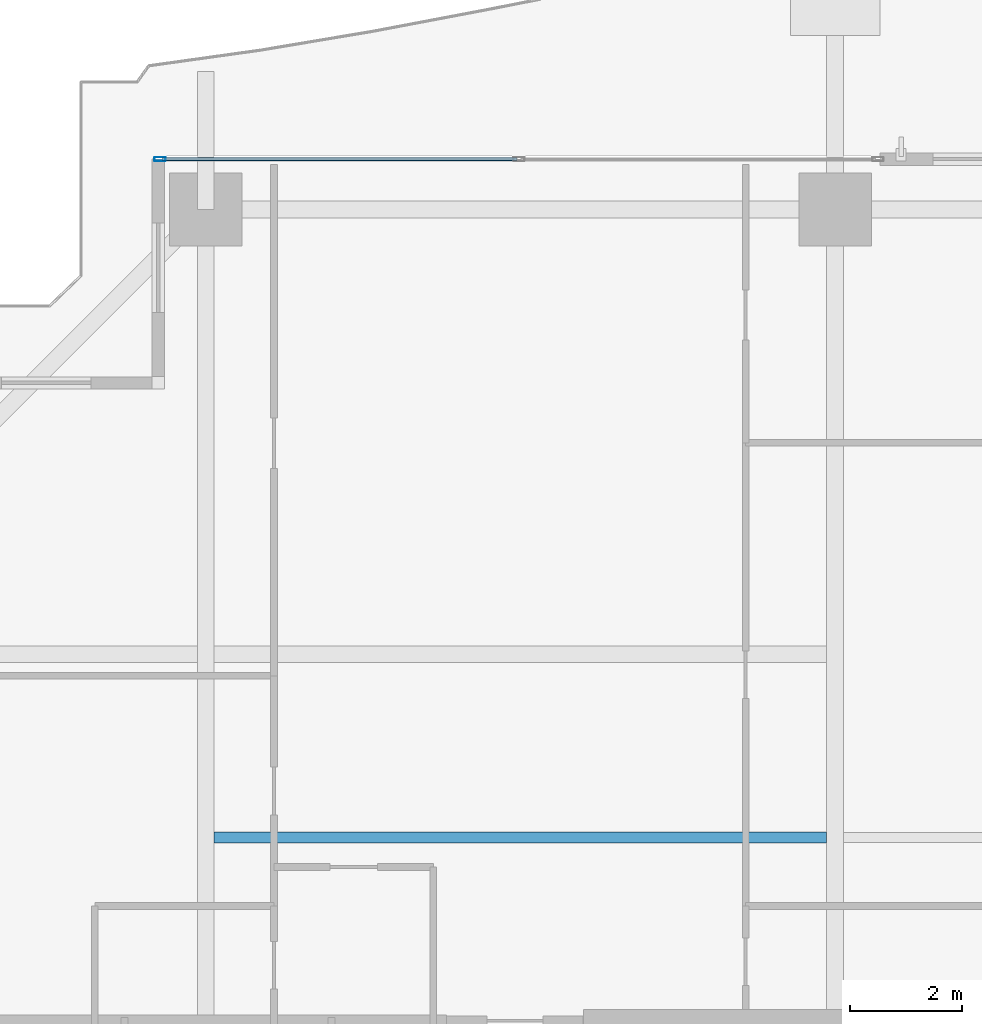
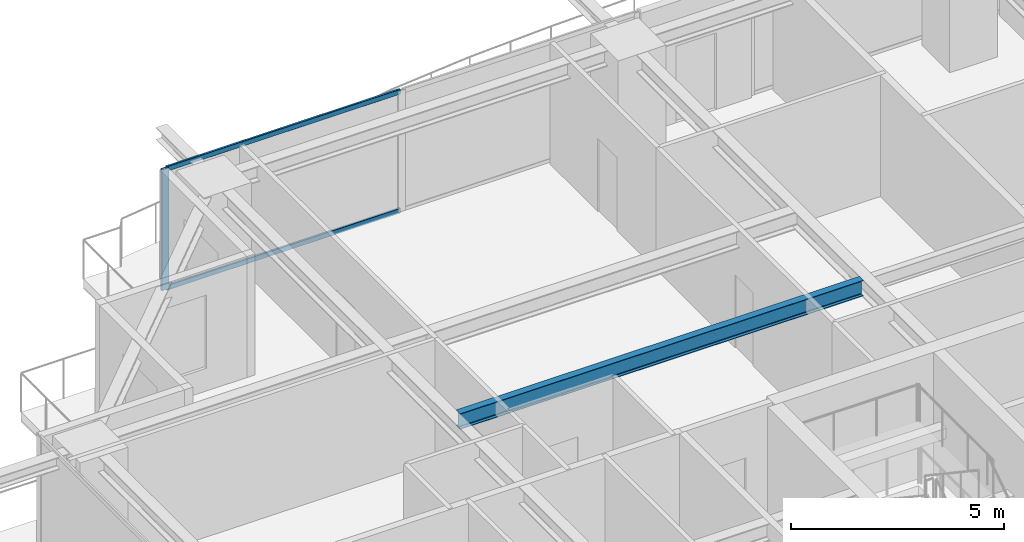
# One storey, part 18 of 39: 3 members, 1 beam, 1 element without a shape of its own.
"""IFC4 building model written with IfcOpenShell, lengths in metres."""

from ifc_helpers import new_model, si_unit, direction, frame, origin, origin_2d, place, context, subcontext, project, spatial, hollow_rectangle, i_section, extrude, source, transform, mapped, material, layer, layer_set, material_profile, profile_set, type_object, element, aggregate, save


model = new_model("IFC4")

# Units and contexts
model_context = context("Model", 3, precision=1e-05, world=origin(), true_north=direction((0.0, 1.0)))
body_context = subcontext(model_context, "Body", "Model", "MODEL_VIEW")
ifc_project = project(units=[si_unit("LENGTHUNIT", "METRE"), si_unit("AREAUNIT", "SQUARE_METRE"), si_unit("VOLUMEUNIT", "CUBIC_METRE"), si_unit("PLANEANGLEUNIT", "RADIAN"), si_unit("MASSUNIT", "GRAM", prefix="KILO")], contexts=[model_context])

# Site, building, storey
site_placement = place(None, origin())
site = spatial("IfcSite", under=ifc_project, at=site_placement, CompositionType="ELEMENT")
building_placement = place(site_placement, origin())
building = spatial("IfcBuilding", under=site, at=building_placement, Name="Serunith Strait Residences", CompositionType="ELEMENT")
storey_placement = place(building_placement, frame((0.0, 0.0, 123.89990234375)))
storey = spatial("IfcBuildingStorey", under=building, at=storey_placement, Name="L30", CompositionType="ELEMENT", Elevation=123.89990234375)

# Beam
ifc_material_1 = material(Name="Steel S355J2", Category="steel")
ifc_material_profile_1 = material_profile(ifc_material_1, i_section(OverallWidth=0.18994140625, OverallDepth=0.449951171875, WebThickness=0.009521484375, FlangeThickness=0.0146484375, FilletRadius=0.02099609375, at=origin_2d()), Name="IPE 450")
ifc_profile_set_1 = profile_set([ifc_material_profile_1], Name="Steel S355J2")
beam_type = type_object("IfcBeamType", Name="BM-IPE450", PredefinedType="JOIST", material=ifc_profile_set_1)
shared_shape_1 = source(origin(), body_context, "Body", "SweptSolid", [
    extrude(i_section(OverallWidth=0.18994140625, OverallDepth=0.449951171875, WebThickness=0.009521484375, FlangeThickness=0.0146484375, FilletRadius=0.02099609375, at=origin_2d()), origin(), (0.0, 0.0, 1.0), 10.949951171875),
])
beam_placement = place(storey_placement, frame((16.800048828125, 36.875, 3.26220703125), z_axis=(1.0, 0.0, 0.0), x_axis=(0.0, 1.0, 0.0)))
element("IfcBeam", 1, at=beam_placement, inside=storey, type_object=beam_type, Name="L30 Composite Floor Joist 04", PredefinedType="JOIST", context=body_context, shape_type="MappedRepresentation", body=[
    mapped(shared_shape_1, transform((0.0, 0.0, 0.0), scale=1.0)),
])

# Curtain wall, members
ifc_material_2 = material(Name="Pale-Champagne Anodised Aluminium", Category="aluminium")
ifc_layer = layer(ifc_material_2, 0.199951171875, Name="Pale-Champagne Anodised Aluminium")
ifc_layer_set = layer_set([ifc_layer], Name="Pale-Champagne Anodised Aluminium")
curtain_wall_type = type_object("IfcCurtainWallType", Name="CW-SYS2", PredefinedType="NOTDEFINED", material=ifc_layer_set)
curtain_wall_placement = place(storey_placement, origin())
curtain_wall = element("IfcCurtainWall", 2, at=curtain_wall_placement, inside=storey, type_object=curtain_wall_type, Name="L30 N Unitised Fritted Curtain Wall", PredefinedType="NOTDEFINED")
ifc_material_profile_2 = material_profile(ifc_material_2, hollow_rectangle(XDim=0.070068359375, YDim=0.199951171875, WallThickness=0.00390625, InnerFilletRadius=0.006103515625, OuterFilletRadius=0.010009765625, at=origin_2d()), Name="ALU 200x70x4")
ifc_profile_set_2 = profile_set([ifc_material_profile_2], Name="Pale-Champagne Anodised Aluminium")
member_type_1 = type_object("IfcMemberType", Name="CW-SYS2-MULL", PredefinedType="MULLION", material=ifc_profile_set_2)
shared_shape_2 = source(origin(), body_context, "Body", "SweptSolid", [
    extrude(hollow_rectangle(XDim=0.070068359375, YDim=0.199951171875, WallThickness=0.00390625, InnerFilletRadius=0.006103515625, OuterFilletRadius=0.010009765625, at=origin_2d()), origin(), (0.0, 0.0, 1.0), 3.47509765625),
])
member_1_placement = place(storey_placement, frame((15.8349609375, 49.0, 0.0), z_axis=(0.0, 0.0, 1.0), x_axis=(0.0, -1.0, 0.0)))
member_1 = element("IfcMember", 3, at=member_1_placement, type_object=member_type_1, Name="CW-2 mullion 3", PredefinedType="MULLION", context=body_context, shape_type="MappedRepresentation", body=[
    mapped(shared_shape_2, transform((0.0, 0.0, 0.0), scale=1.0)),
])
ifc_material_profile_3 = material_profile(ifc_material_2, hollow_rectangle(XDim=0.06005859375, YDim=0.139892578125, WallThickness=0.00341796875, InnerFilletRadius=0.00537109375, OuterFilletRadius=0.0087890625, at=origin_2d()), Name="ALU 140x60x3.5")
ifc_profile_set_3 = profile_set([ifc_material_profile_3], Name="Pale-Champagne Anodised Aluminium")
member_type_2 = type_object("IfcMemberType", Name="CW-SYS2-TRAN", PredefinedType="USERDEFINED", material=ifc_profile_set_3)
shared_shape_3 = source(origin(), body_context, "Body", "SweptSolid", [
    extrude(hollow_rectangle(XDim=0.06005859375, YDim=0.139892578125, WallThickness=0.00341796875, InnerFilletRadius=0.00537109375, OuterFilletRadius=0.0087890625, at=origin_2d()), origin(), (0.0, 0.0, 1.0), 6.344970703125),
])
member_2_placement = place(storey_placement, frame((22.215087890625, 49.0, 0.030029296875), z_axis=(-1.0, 0.0, 0.0), x_axis=(0.0, -1.0, 0.0)))
member_2 = element("IfcMember", 4, at=member_2_placement, type_object=member_type_2, Name="CW-2 transom 2.1", ObjectType="TRANSOM", PredefinedType="USERDEFINED", context=body_context, shape_type="MappedRepresentation", body=[
    mapped(shared_shape_3, transform((0.0, 0.0, 0.0), scale=1.0)),
])
member_3_placement = place(storey_placement, frame((22.215087890625, 49.0, 3.445068359375), z_axis=(-1.0, 0.0, 0.0), x_axis=(0.0, -1.0, 0.0)))
member_3 = element("IfcMember", 5, at=member_3_placement, type_object=member_type_2, Name="CW-2 transom 2.2", ObjectType="TRANSOM", PredefinedType="USERDEFINED", context=body_context, shape_type="MappedRepresentation", body=[
    mapped(shared_shape_3, transform((0.0, 0.0, 0.0), scale=1.0)),
])
aggregate(curtain_wall, [member_1, member_2, member_3])

save(model, "model.ifc")
